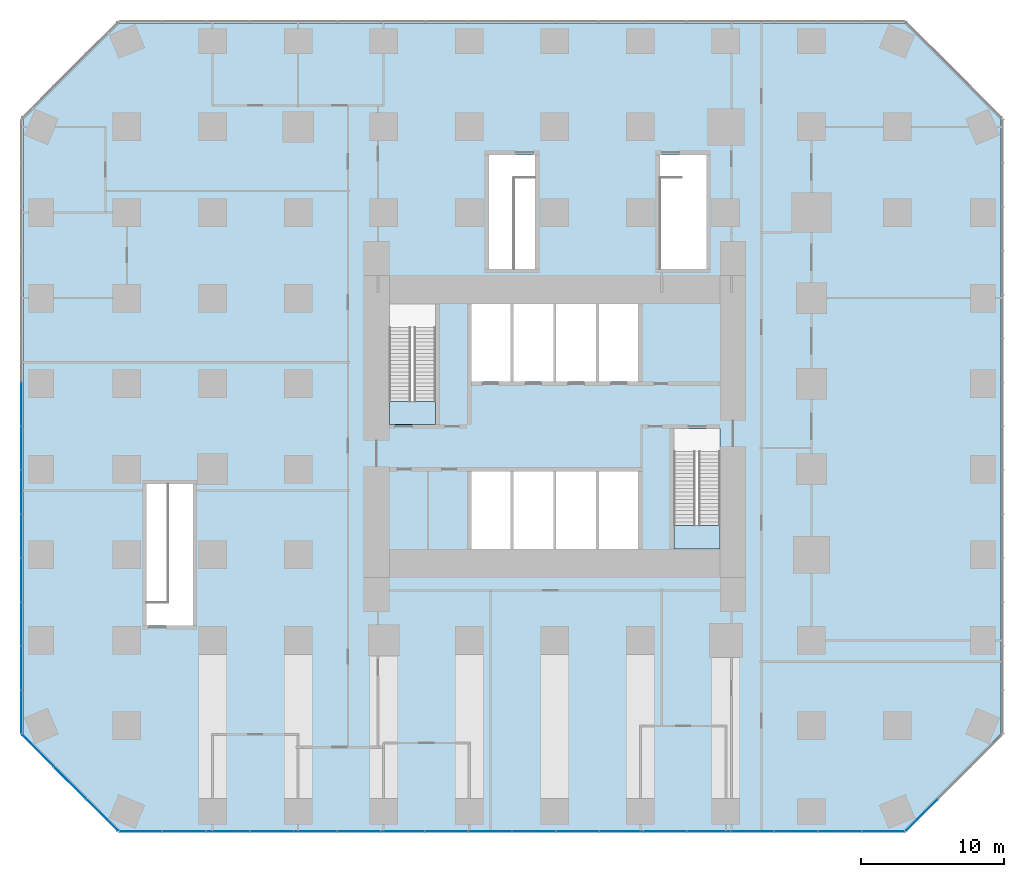
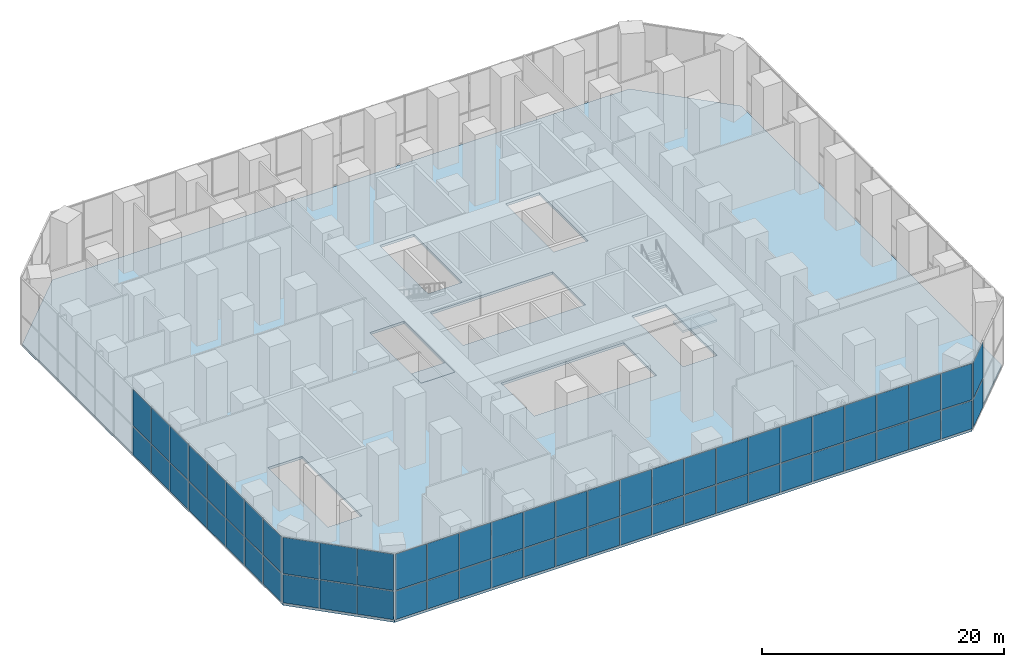
# One storey, part 9 of 16: 60 plates, 3 slabs, 6 elements without a shape of their own.
"""IFC4 building model written with IfcOpenShell, lengths in metres."""

from ifc_helpers import new_model, si_unit, direction, frame, origin, origin_2d, place, context, subcontext, project, spatial, polyline, rectangle, outline, extrude, material, layer, layer_set, type_object, element, aggregate, save


model = new_model("IFC4")

# Units and contexts
model_context = context("Model", 3, precision=1e-05, world=origin(), true_north=direction((0.0, 1.0)))
body_context = subcontext(model_context, "Body", "Model", "MODEL_VIEW")
ifc_project = project(units=[si_unit("LENGTHUNIT", "METRE"), si_unit("AREAUNIT", "SQUARE_METRE"), si_unit("VOLUMEUNIT", "CUBIC_METRE"), si_unit("PLANEANGLEUNIT", "RADIAN"), si_unit("MASSUNIT", "GRAM", prefix="KILO")], contexts=[model_context])

# Site, building, storey
site_placement = place(None, origin())
site = spatial("IfcSite", under=ifc_project, at=site_placement, CompositionType="ELEMENT")
building_placement = place(site_placement, origin())
building = spatial("IfcBuilding", under=site, at=building_placement, Name="Highveld Stack Headquarters", CompositionType="ELEMENT")
storey_placement = place(building_placement, frame((0.0, 0.0, 11.0)))
storey = spatial("IfcBuildingStorey", under=building, at=storey_placement, Name="L02", CompositionType="ELEMENT", Elevation=11.0)

# Curtain wall, plates
ifc_material_1 = material(Name="Aluminium bronze anodised", Category="aluminium")
ifc_layer_1 = layer(ifc_material_1, 0.199951171875)
ifc_layer_set_1 = layer_set([ifc_layer_1], Name="Aluminium bronze anodised")
curtain_wall_type = type_object("IfcCurtainWallType", Name="CW3 PODIUM STICK CURTAIN WALL", PredefinedType="NOTDEFINED", material=ifc_layer_set_1)
curtain_wall_1_placement = place(storey_placement, origin())
curtain_wall_1 = element("IfcCurtainWall", 1, at=curtain_wall_1_placement, inside=storey, type_object=curtain_wall_type, Name="Curtain wall CW3 L02 S", PredefinedType="NOTDEFINED")
ifc_material_2 = material(Name="Glass clear low-iron double glazed unit", Category="glass")
ifc_layer_2 = layer(ifc_material_2, 0.035888671875)
ifc_layer_set_2 = layer_set([ifc_layer_2], Name="Glass clear low-iron double glazed unit")
plate_type = type_object("IfcPlateType", Name="CW3 PANEL CLEAR LOW-IRON DOUBLE GLAZED UNIT", PredefinedType="CURTAIN_PANEL", material=ifc_layer_set_2)
plate_1_placement = place(storey_placement, frame((-23.031494140625, -25.39990234375, 0.099853515625), z_axis=(0.0, 0.0, 1.0), x_axis=(1.0, 0.0, 0.0)))
plate_1 = element("IfcPlate", 2, at=plate_1_placement, type_object=plate_type, Name="CW3 panel L02 1.1", PredefinedType="CURTAIN_PANEL", context=body_context, shape_type="SweptSolid", body=[
    extrude(rectangle(XDim=2.966796875, YDim=0.035888671875, at=origin_2d()), origin(), (0.0, 0.0, 1.0), 2.85009765625),
])
plate_2_placement = place(storey_placement, frame((-23.031494140625, -25.39990234375, 3.050048828125), z_axis=(0.0, 0.0, 1.0), x_axis=(1.0, 0.0, 0.0)))
plate_2 = element("IfcPlate", 3, at=plate_2_placement, type_object=plate_type, Name="CW3 panel L02 1.2", PredefinedType="CURTAIN_PANEL", context=body_context, shape_type="SweptSolid", body=[
    extrude(rectangle(XDim=2.966796875, YDim=0.035888671875, at=origin_2d()), origin(), (0.0, 0.0, 1.0), 3.64990234375),
])
plate_3_placement = place(storey_placement, frame((-19.983154296875, -25.39990234375, 0.099853515625), z_axis=(0.0, 0.0, 1.0), x_axis=(1.0, 0.0, 0.0)))
plate_3 = element("IfcPlate", 4, at=plate_3_placement, type_object=plate_type, Name="CW3 panel L02 2.1", PredefinedType="CURTAIN_PANEL", context=body_context, shape_type="SweptSolid", body=[
    extrude(rectangle(XDim=2.99951171875, YDim=0.035888671875, at=origin_2d()), origin(), (0.0, 0.0, 1.0), 2.85009765625),
])
plate_4_placement = place(storey_placement, frame((-19.983154296875, -25.39990234375, 3.050048828125), z_axis=(0.0, 0.0, 1.0), x_axis=(1.0, 0.0, 0.0)))
plate_4 = element("IfcPlate", 5, at=plate_4_placement, type_object=plate_type, Name="CW3 panel L02 2.2", PredefinedType="CURTAIN_PANEL", context=body_context, shape_type="SweptSolid", body=[
    extrude(rectangle(XDim=2.99951171875, YDim=0.035888671875, at=origin_2d()), origin(), (0.0, 0.0, 1.0), 3.64990234375),
])
plate_5_placement = place(storey_placement, frame((-16.918701171875, -25.39990234375, 0.099853515625), z_axis=(0.0, 0.0, 1.0), x_axis=(1.0, 0.0, 0.0)))
plate_5 = element("IfcPlate", 6, at=plate_5_placement, type_object=plate_type, Name="CW3 panel L02 3.1", PredefinedType="CURTAIN_PANEL", context=body_context, shape_type="SweptSolid", body=[
    extrude(rectangle(XDim=2.99951171875, YDim=0.035888671875, at=origin_2d()), origin(), (0.0, 0.0, 1.0), 2.85009765625),
])
plate_6_placement = place(storey_placement, frame((-16.918701171875, -25.39990234375, 3.050048828125), z_axis=(0.0, 0.0, 1.0), x_axis=(1.0, 0.0, 0.0)))
plate_6 = element("IfcPlate", 7, at=plate_6_placement, type_object=plate_type, Name="CW3 panel L02 3.2", PredefinedType="CURTAIN_PANEL", context=body_context, shape_type="SweptSolid", body=[
    extrude(rectangle(XDim=2.99951171875, YDim=0.035888671875, at=origin_2d()), origin(), (0.0, 0.0, 1.0), 3.64990234375),
])
plate_7_placement = place(storey_placement, frame((-13.8544921875, -25.39990234375, 0.099853515625), z_axis=(0.0, 0.0, 1.0), x_axis=(1.0, 0.0, 0.0)))
plate_7 = element("IfcPlate", 8, at=plate_7_placement, type_object=plate_type, Name="CW3 panel L02 4.1", PredefinedType="CURTAIN_PANEL", context=body_context, shape_type="SweptSolid", body=[
    extrude(rectangle(XDim=2.99951171875, YDim=0.035888671875, at=origin_2d()), origin(), (0.0, 0.0, 1.0), 2.85009765625),
])
plate_8_placement = place(storey_placement, frame((-13.8544921875, -25.39990234375, 3.050048828125), z_axis=(0.0, 0.0, 1.0), x_axis=(1.0, 0.0, 0.0)))
plate_8 = element("IfcPlate", 9, at=plate_8_placement, type_object=plate_type, Name="CW3 panel L02 4.2", PredefinedType="CURTAIN_PANEL", context=body_context, shape_type="SweptSolid", body=[
    extrude(rectangle(XDim=2.99951171875, YDim=0.035888671875, at=origin_2d()), origin(), (0.0, 0.0, 1.0), 3.64990234375),
])
plate_9_placement = place(storey_placement, frame((-10.789794921875, -25.39990234375, 0.099853515625), z_axis=(0.0, 0.0, 1.0), x_axis=(1.0, 0.0, 0.0)))
plate_9 = element("IfcPlate", 10, at=plate_9_placement, type_object=plate_type, Name="CW3 panel L02 5.1", PredefinedType="CURTAIN_PANEL", context=body_context, shape_type="SweptSolid", body=[
    extrude(rectangle(XDim=2.99951171875, YDim=0.035888671875, at=origin_2d()), origin(), (0.0, 0.0, 1.0), 2.85009765625),
])
plate_10_placement = place(storey_placement, frame((-10.789794921875, -25.39990234375, 3.050048828125), z_axis=(0.0, 0.0, 1.0), x_axis=(1.0, 0.0, 0.0)))
plate_10 = element("IfcPlate", 11, at=plate_10_placement, type_object=plate_type, Name="CW3 panel L02 5.2", PredefinedType="CURTAIN_PANEL", context=body_context, shape_type="SweptSolid", body=[
    extrude(rectangle(XDim=2.99951171875, YDim=0.035888671875, at=origin_2d()), origin(), (0.0, 0.0, 1.0), 3.64990234375),
])
plate_11_placement = place(storey_placement, frame((-7.7255859375, -25.39990234375, 0.099853515625), z_axis=(0.0, 0.0, 1.0), x_axis=(1.0, 0.0, 0.0)))
plate_11 = element("IfcPlate", 12, at=plate_11_placement, type_object=plate_type, Name="CW3 panel L02 6.1", PredefinedType="CURTAIN_PANEL", context=body_context, shape_type="SweptSolid", body=[
    extrude(rectangle(XDim=2.99951171875, YDim=0.035888671875, at=origin_2d()), origin(), (0.0, 0.0, 1.0), 2.85009765625),
])
plate_12_placement = place(storey_placement, frame((-7.7255859375, -25.39990234375, 3.050048828125), z_axis=(0.0, 0.0, 1.0), x_axis=(1.0, 0.0, 0.0)))
plate_12 = element("IfcPlate", 13, at=plate_12_placement, type_object=plate_type, Name="CW3 panel L02 6.2", PredefinedType="CURTAIN_PANEL", context=body_context, shape_type="SweptSolid", body=[
    extrude(rectangle(XDim=2.99951171875, YDim=0.035888671875, at=origin_2d()), origin(), (0.0, 0.0, 1.0), 3.64990234375),
])
plate_13_placement = place(storey_placement, frame((-4.6611328125, -25.39990234375, 0.099853515625), z_axis=(0.0, 0.0, 1.0), x_axis=(1.0, 0.0, 0.0)))
plate_13 = element("IfcPlate", 14, at=plate_13_placement, type_object=plate_type, Name="CW3 panel L02 7.1", PredefinedType="CURTAIN_PANEL", context=body_context, shape_type="SweptSolid", body=[
    extrude(rectangle(XDim=2.99951171875, YDim=0.035888671875, at=origin_2d()), origin(), (0.0, 0.0, 1.0), 2.85009765625),
])
plate_14_placement = place(storey_placement, frame((-4.6611328125, -25.39990234375, 3.050048828125), z_axis=(0.0, 0.0, 1.0), x_axis=(1.0, 0.0, 0.0)))
plate_14 = element("IfcPlate", 15, at=plate_14_placement, type_object=plate_type, Name="CW3 panel L02 7.2", PredefinedType="CURTAIN_PANEL", context=body_context, shape_type="SweptSolid", body=[
    extrude(rectangle(XDim=2.99951171875, YDim=0.035888671875, at=origin_2d()), origin(), (0.0, 0.0, 1.0), 3.64990234375),
])
plate_15_placement = place(storey_placement, frame((-1.5966796875, -25.39990234375, 0.099853515625), z_axis=(0.0, 0.0, 1.0), x_axis=(1.0, 0.0, 0.0)))
plate_15 = element("IfcPlate", 16, at=plate_15_placement, type_object=plate_type, Name="CW3 panel L02 8.1", PredefinedType="CURTAIN_PANEL", context=body_context, shape_type="SweptSolid", body=[
    extrude(rectangle(XDim=2.99951171875, YDim=0.035888671875, at=origin_2d()), origin(), (0.0, 0.0, 1.0), 2.85009765625),
])
plate_16_placement = place(storey_placement, frame((-1.5966796875, -25.39990234375, 3.050048828125), z_axis=(0.0, 0.0, 1.0), x_axis=(1.0, 0.0, 0.0)))
plate_16 = element("IfcPlate", 17, at=plate_16_placement, type_object=plate_type, Name="CW3 panel L02 8.2", PredefinedType="CURTAIN_PANEL", context=body_context, shape_type="SweptSolid", body=[
    extrude(rectangle(XDim=2.99951171875, YDim=0.035888671875, at=origin_2d()), origin(), (0.0, 0.0, 1.0), 3.64990234375),
])
plate_17_placement = place(storey_placement, frame((1.4677734375, -25.39990234375, 0.099853515625), z_axis=(0.0, 0.0, 1.0), x_axis=(1.0, 0.0, 0.0)))
plate_17 = element("IfcPlate", 18, at=plate_17_placement, type_object=plate_type, Name="CW3 panel L02 9.1", PredefinedType="CURTAIN_PANEL", context=body_context, shape_type="SweptSolid", body=[
    extrude(rectangle(XDim=2.99951171875, YDim=0.035888671875, at=origin_2d()), origin(), (0.0, 0.0, 1.0), 2.85009765625),
])
plate_18_placement = place(storey_placement, frame((1.4677734375, -25.39990234375, 3.050048828125), z_axis=(0.0, 0.0, 1.0), x_axis=(1.0, 0.0, 0.0)))
plate_18 = element("IfcPlate", 19, at=plate_18_placement, type_object=plate_type, Name="CW3 panel L02 9.2", PredefinedType="CURTAIN_PANEL", context=body_context, shape_type="SweptSolid", body=[
    extrude(rectangle(XDim=2.99951171875, YDim=0.035888671875, at=origin_2d()), origin(), (0.0, 0.0, 1.0), 3.64990234375),
])
plate_19_placement = place(storey_placement, frame((4.5322265625, -25.39990234375, 0.099853515625), z_axis=(0.0, 0.0, 1.0), x_axis=(1.0, 0.0, 0.0)))
plate_19 = element("IfcPlate", 20, at=plate_19_placement, type_object=plate_type, Name="CW3 panel L02 10.1", PredefinedType="CURTAIN_PANEL", context=body_context, shape_type="SweptSolid", body=[
    extrude(rectangle(XDim=2.99951171875, YDim=0.035888671875, at=origin_2d()), origin(), (0.0, 0.0, 1.0), 2.85009765625),
])
plate_20_placement = place(storey_placement, frame((4.5322265625, -25.39990234375, 3.050048828125), z_axis=(0.0, 0.0, 1.0), x_axis=(1.0, 0.0, 0.0)))
plate_20 = element("IfcPlate", 21, at=plate_20_placement, type_object=plate_type, Name="CW3 panel L02 10.2", PredefinedType="CURTAIN_PANEL", context=body_context, shape_type="SweptSolid", body=[
    extrude(rectangle(XDim=2.99951171875, YDim=0.035888671875, at=origin_2d()), origin(), (0.0, 0.0, 1.0), 3.64990234375),
])
plate_21_placement = place(storey_placement, frame((7.5966796875, -25.39990234375, 0.099853515625), z_axis=(0.0, 0.0, 1.0), x_axis=(1.0, 0.0, 0.0)))
plate_21 = element("IfcPlate", 22, at=plate_21_placement, type_object=plate_type, Name="CW3 panel L02 11.1", PredefinedType="CURTAIN_PANEL", context=body_context, shape_type="SweptSolid", body=[
    extrude(rectangle(XDim=2.99951171875, YDim=0.035888671875, at=origin_2d()), origin(), (0.0, 0.0, 1.0), 2.85009765625),
])
plate_22_placement = place(storey_placement, frame((7.5966796875, -25.39990234375, 3.050048828125), z_axis=(0.0, 0.0, 1.0), x_axis=(1.0, 0.0, 0.0)))
plate_22 = element("IfcPlate", 23, at=plate_22_placement, type_object=plate_type, Name="CW3 panel L02 11.2", PredefinedType="CURTAIN_PANEL", context=body_context, shape_type="SweptSolid", body=[
    extrude(rectangle(XDim=2.99951171875, YDim=0.035888671875, at=origin_2d()), origin(), (0.0, 0.0, 1.0), 3.64990234375),
])
plate_23_placement = place(storey_placement, frame((10.6611328125, -25.39990234375, 0.099853515625), z_axis=(0.0, 0.0, 1.0), x_axis=(1.0, 0.0, 0.0)))
plate_23 = element("IfcPlate", 24, at=plate_23_placement, type_object=plate_type, Name="CW3 panel L02 12.1", PredefinedType="CURTAIN_PANEL", context=body_context, shape_type="SweptSolid", body=[
    extrude(rectangle(XDim=2.99951171875, YDim=0.035888671875, at=origin_2d()), origin(), (0.0, 0.0, 1.0), 2.85009765625),
])
plate_24_placement = place(storey_placement, frame((10.6611328125, -25.39990234375, 3.050048828125), z_axis=(0.0, 0.0, 1.0), x_axis=(1.0, 0.0, 0.0)))
plate_24 = element("IfcPlate", 25, at=plate_24_placement, type_object=plate_type, Name="CW3 panel L02 12.2", PredefinedType="CURTAIN_PANEL", context=body_context, shape_type="SweptSolid", body=[
    extrude(rectangle(XDim=2.99951171875, YDim=0.035888671875, at=origin_2d()), origin(), (0.0, 0.0, 1.0), 3.64990234375),
])
plate_25_placement = place(storey_placement, frame((13.7255859375, -25.39990234375, 0.099853515625), z_axis=(0.0, 0.0, 1.0), x_axis=(1.0, 0.0, 0.0)))
plate_25 = element("IfcPlate", 26, at=plate_25_placement, type_object=plate_type, Name="CW3 panel L02 13.1", PredefinedType="CURTAIN_PANEL", context=body_context, shape_type="SweptSolid", body=[
    extrude(rectangle(XDim=2.99951171875, YDim=0.035888671875, at=origin_2d()), origin(), (0.0, 0.0, 1.0), 2.85009765625),
])
plate_26_placement = place(storey_placement, frame((13.7255859375, -25.39990234375, 3.050048828125), z_axis=(0.0, 0.0, 1.0), x_axis=(1.0, 0.0, 0.0)))
plate_26 = element("IfcPlate", 27, at=plate_26_placement, type_object=plate_type, Name="CW3 panel L02 13.2", PredefinedType="CURTAIN_PANEL", context=body_context, shape_type="SweptSolid", body=[
    extrude(rectangle(XDim=2.99951171875, YDim=0.035888671875, at=origin_2d()), origin(), (0.0, 0.0, 1.0), 3.64990234375),
])
plate_27_placement = place(storey_placement, frame((16.7900390625, -25.39990234375, 0.099853515625), z_axis=(0.0, 0.0, 1.0), x_axis=(1.0, 0.0, 0.0)))
plate_27 = element("IfcPlate", 28, at=plate_27_placement, type_object=plate_type, Name="CW3 panel L02 14.1", PredefinedType="CURTAIN_PANEL", context=body_context, shape_type="SweptSolid", body=[
    extrude(rectangle(XDim=2.99951171875, YDim=0.035888671875, at=origin_2d()), origin(), (0.0, 0.0, 1.0), 2.85009765625),
])
plate_28_placement = place(storey_placement, frame((16.7900390625, -25.39990234375, 3.050048828125), z_axis=(0.0, 0.0, 1.0), x_axis=(1.0, 0.0, 0.0)))
plate_28 = element("IfcPlate", 29, at=plate_28_placement, type_object=plate_type, Name="CW3 panel L02 14.2", PredefinedType="CURTAIN_PANEL", context=body_context, shape_type="SweptSolid", body=[
    extrude(rectangle(XDim=2.99951171875, YDim=0.035888671875, at=origin_2d()), origin(), (0.0, 0.0, 1.0), 3.64990234375),
])
plate_29_placement = place(storey_placement, frame((19.8544921875, -25.39990234375, 0.099853515625), z_axis=(0.0, 0.0, 1.0), x_axis=(1.0, 0.0, 0.0)))
plate_29 = element("IfcPlate", 30, at=plate_29_placement, type_object=plate_type, Name="CW3 panel L02 15.1", PredefinedType="CURTAIN_PANEL", context=body_context, shape_type="SweptSolid", body=[
    extrude(rectangle(XDim=2.99951171875, YDim=0.035888671875, at=origin_2d()), origin(), (0.0, 0.0, 1.0), 2.85009765625),
])
plate_30_placement = place(storey_placement, frame((19.8544921875, -25.39990234375, 3.050048828125), z_axis=(0.0, 0.0, 1.0), x_axis=(1.0, 0.0, 0.0)))
plate_30 = element("IfcPlate", 31, at=plate_30_placement, type_object=plate_type, Name="CW3 panel L02 15.2", PredefinedType="CURTAIN_PANEL", context=body_context, shape_type="SweptSolid", body=[
    extrude(rectangle(XDim=2.99951171875, YDim=0.035888671875, at=origin_2d()), origin(), (0.0, 0.0, 1.0), 3.64990234375),
])
plate_31_placement = place(storey_placement, frame((22.918701171875, -25.39990234375, 0.099853515625), z_axis=(0.0, 0.0, 1.0), x_axis=(1.0, 0.0, 0.0)))
plate_31 = element("IfcPlate", 32, at=plate_31_placement, type_object=plate_type, Name="CW3 panel L02 16.1", PredefinedType="CURTAIN_PANEL", context=body_context, shape_type="SweptSolid", body=[
    extrude(rectangle(XDim=2.99951171875, YDim=0.035888671875, at=origin_2d()), origin(), (0.0, 0.0, 1.0), 2.85009765625),
])
plate_32_placement = place(storey_placement, frame((22.918701171875, -25.39990234375, 3.050048828125), z_axis=(0.0, 0.0, 1.0), x_axis=(1.0, 0.0, 0.0)))
plate_32 = element("IfcPlate", 33, at=plate_32_placement, type_object=plate_type, Name="CW3 panel L02 16.2", PredefinedType="CURTAIN_PANEL", context=body_context, shape_type="SweptSolid", body=[
    extrude(rectangle(XDim=2.99951171875, YDim=0.035888671875, at=origin_2d()), origin(), (0.0, 0.0, 1.0), 3.64990234375),
])
plate_33_placement = place(storey_placement, frame((25.983154296875, -25.39990234375, 0.099853515625), z_axis=(0.0, 0.0, 1.0), x_axis=(1.0, 0.0, 0.0)))
plate_33 = element("IfcPlate", 34, at=plate_33_placement, type_object=plate_type, Name="CW3 panel L02 17.1", PredefinedType="CURTAIN_PANEL", context=body_context, shape_type="SweptSolid", body=[
    extrude(rectangle(XDim=2.99951171875, YDim=0.035888671875, at=origin_2d()), origin(), (0.0, 0.0, 1.0), 2.85009765625),
])
plate_34_placement = place(storey_placement, frame((25.983154296875, -25.39990234375, 3.050048828125), z_axis=(0.0, 0.0, 1.0), x_axis=(1.0, 0.0, 0.0)))
plate_34 = element("IfcPlate", 35, at=plate_34_placement, type_object=plate_type, Name="CW3 panel L02 17.2", PredefinedType="CURTAIN_PANEL", context=body_context, shape_type="SweptSolid", body=[
    extrude(rectangle(XDim=2.99951171875, YDim=0.035888671875, at=origin_2d()), origin(), (0.0, 0.0, 1.0), 3.64990234375),
])
plate_35_placement = place(storey_placement, frame((29.031494140625, -25.39990234375, 0.099853515625), z_axis=(0.0, 0.0, 1.0), x_axis=(1.0, 0.0, 0.0)))
plate_35 = element("IfcPlate", 36, at=plate_35_placement, type_object=plate_type, Name="CW3 panel L02 18.1", PredefinedType="CURTAIN_PANEL", context=body_context, shape_type="SweptSolid", body=[
    extrude(rectangle(XDim=2.966796875, YDim=0.035888671875, at=origin_2d()), origin(), (0.0, 0.0, 1.0), 2.85009765625),
])
plate_36_placement = place(storey_placement, frame((29.031494140625, -25.39990234375, 3.050048828125), z_axis=(0.0, 0.0, 1.0), x_axis=(1.0, 0.0, 0.0)))
plate_36 = element("IfcPlate", 37, at=plate_36_placement, type_object=plate_type, Name="CW3 panel L02 18.2", PredefinedType="CURTAIN_PANEL", context=body_context, shape_type="SweptSolid", body=[
    extrude(rectangle(XDim=2.966796875, YDim=0.035888671875, at=origin_2d()), origin(), (0.0, 0.0, 1.0), 3.64990234375),
])
aggregate(curtain_wall_1, [plate_1, plate_2, plate_3, plate_4, plate_5, plate_6, plate_7, plate_8, plate_9, plate_10, plate_11, plate_12, plate_13, plate_14, plate_15, plate_16, plate_17, plate_18, plate_19, plate_20, plate_21, plate_22, plate_23, plate_24, plate_25, plate_26, plate_27, plate_28, plate_29, plate_30, plate_31, plate_32, plate_33, plate_34, plate_35, plate_36])

curtain_wall_2_placement = place(storey_placement, origin())
curtain_wall_2 = element("IfcCurtainWall", 38, at=curtain_wall_2_placement, inside=storey, type_object=curtain_wall_type, Name="Curtain wall CW3 L02 SE", PredefinedType="NOTDEFINED")
plate_37_placement = place(storey_placement, frame((31.740478515625, -24.239501953125, 0.099853515625), z_axis=(0.0, 0.0, 1.0), x_axis=(0.707106781187, 0.707106781187, 0.0)))
plate_37 = element("IfcPlate", 39, at=plate_37_placement, type_object=plate_type, Name="CW3 panel L02 1.1", PredefinedType="CURTAIN_PANEL", context=body_context, shape_type="SweptSolid", body=[
    extrude(rectangle(XDim=3.08251953125, YDim=0.035888671875, at=origin_2d()), origin(), (0.0, 0.0, 1.0), 2.85009765625),
])
plate_38_placement = place(storey_placement, frame((31.740478515625, -24.239501953125, 3.050048828125), z_axis=(0.0, 0.0, 1.0), x_axis=(0.707106781187, 0.707106781187, 0.0)))
plate_38 = element("IfcPlate", 40, at=plate_38_placement, type_object=plate_type, Name="CW3 panel L02 1.2", PredefinedType="CURTAIN_PANEL", context=body_context, shape_type="SweptSolid", body=[
    extrude(rectangle(XDim=3.08251953125, YDim=0.035888671875, at=origin_2d()), origin(), (0.0, 0.0, 1.0), 3.64990234375),
])
aggregate(curtain_wall_2, [plate_37, plate_38])

curtain_wall_3_placement = place(storey_placement, origin())
curtain_wall_3 = element("IfcCurtainWall", 41, at=curtain_wall_3_placement, inside=storey, type_object=curtain_wall_type, Name="Curtain wall CW3 L02 W", PredefinedType="NOTDEFINED")
plate_39_placement = place(storey_placement, frame((-31.39990234375, 4.54150390625, 0.099853515625), z_axis=(0.0, 0.0, 1.0), x_axis=(0.0, -1.0, 0.0)))
plate_39 = element("IfcPlate", 42, at=plate_39_placement, type_object=plate_type, Name="CW3 panel L02 7.1", PredefinedType="CURTAIN_PANEL", context=body_context, shape_type="SweptSolid", body=[
    extrude(rectangle(XDim=3.017822265625, YDim=0.035888671875, at=origin_2d()), origin(), (0.0, 0.0, 1.0), 2.85009765625),
])
plate_40_placement = place(storey_placement, frame((-31.39990234375, 4.54150390625, 3.050048828125), z_axis=(0.0, 0.0, 1.0), x_axis=(0.0, -1.0, 0.0)))
plate_40 = element("IfcPlate", 43, at=plate_40_placement, type_object=plate_type, Name="CW3 panel L02 7.2", PredefinedType="CURTAIN_PANEL", context=body_context, shape_type="SweptSolid", body=[
    extrude(rectangle(XDim=3.017822265625, YDim=0.035888671875, at=origin_2d()), origin(), (0.0, 0.0, 1.0), 3.64990234375),
])
plate_41_placement = place(storey_placement, frame((-31.39990234375, 1.45849609375, 0.099853515625), z_axis=(0.0, 0.0, 1.0), x_axis=(0.0, -1.0, 0.0)))
plate_41 = element("IfcPlate", 44, at=plate_41_placement, type_object=plate_type, Name="CW3 panel L02 8.1", PredefinedType="CURTAIN_PANEL", context=body_context, shape_type="SweptSolid", body=[
    extrude(rectangle(XDim=3.017822265625, YDim=0.035888671875, at=origin_2d()), origin(), (0.0, 0.0, 1.0), 2.85009765625),
])
plate_42_placement = place(storey_placement, frame((-31.39990234375, 1.45849609375, 3.050048828125), z_axis=(0.0, 0.0, 1.0), x_axis=(0.0, -1.0, 0.0)))
plate_42 = element("IfcPlate", 45, at=plate_42_placement, type_object=plate_type, Name="CW3 panel L02 8.2", PredefinedType="CURTAIN_PANEL", context=body_context, shape_type="SweptSolid", body=[
    extrude(rectangle(XDim=3.017822265625, YDim=0.035888671875, at=origin_2d()), origin(), (0.0, 0.0, 1.0), 3.64990234375),
])
plate_43_placement = place(storey_placement, frame((-31.39990234375, -1.624267578125, 0.099853515625), z_axis=(0.0, 0.0, 1.0), x_axis=(0.0, -1.0, 0.0)))
plate_43 = element("IfcPlate", 46, at=plate_43_placement, type_object=plate_type, Name="CW3 panel L02 9.1", PredefinedType="CURTAIN_PANEL", context=body_context, shape_type="SweptSolid", body=[
    extrude(rectangle(XDim=3.017822265625, YDim=0.035888671875, at=origin_2d()), origin(), (0.0, 0.0, 1.0), 2.85009765625),
])
plate_44_placement = place(storey_placement, frame((-31.39990234375, -1.624267578125, 3.050048828125), z_axis=(0.0, 0.0, 1.0), x_axis=(0.0, -1.0, 0.0)))
plate_44 = element("IfcPlate", 47, at=plate_44_placement, type_object=plate_type, Name="CW3 panel L02 9.2", PredefinedType="CURTAIN_PANEL", context=body_context, shape_type="SweptSolid", body=[
    extrude(rectangle(XDim=3.017822265625, YDim=0.035888671875, at=origin_2d()), origin(), (0.0, 0.0, 1.0), 3.64990234375),
])
plate_45_placement = place(storey_placement, frame((-31.39990234375, -4.70703125, 0.099853515625), z_axis=(0.0, 0.0, 1.0), x_axis=(0.0, -1.0, 0.0)))
plate_45 = element("IfcPlate", 48, at=plate_45_placement, type_object=plate_type, Name="CW3 panel L02 10.1", PredefinedType="CURTAIN_PANEL", context=body_context, shape_type="SweptSolid", body=[
    extrude(rectangle(XDim=3.017822265625, YDim=0.035888671875, at=origin_2d()), origin(), (0.0, 0.0, 1.0), 2.85009765625),
])
plate_46_placement = place(storey_placement, frame((-31.39990234375, -4.70703125, 3.050048828125), z_axis=(0.0, 0.0, 1.0), x_axis=(0.0, -1.0, 0.0)))
plate_46 = element("IfcPlate", 49, at=plate_46_placement, type_object=plate_type, Name="CW3 panel L02 10.2", PredefinedType="CURTAIN_PANEL", context=body_context, shape_type="SweptSolid", body=[
    extrude(rectangle(XDim=3.017822265625, YDim=0.035888671875, at=origin_2d()), origin(), (0.0, 0.0, 1.0), 3.64990234375),
])
plate_47_placement = place(storey_placement, frame((-31.39990234375, -7.7900390625, 0.099853515625), z_axis=(0.0, 0.0, 1.0), x_axis=(0.0, -1.0, 0.0)))
plate_47 = element("IfcPlate", 50, at=plate_47_placement, type_object=plate_type, Name="CW3 panel L02 11.1", PredefinedType="CURTAIN_PANEL", context=body_context, shape_type="SweptSolid", body=[
    extrude(rectangle(XDim=3.017822265625, YDim=0.035888671875, at=origin_2d()), origin(), (0.0, 0.0, 1.0), 2.85009765625),
])
plate_48_placement = place(storey_placement, frame((-31.39990234375, -7.7900390625, 3.050048828125), z_axis=(0.0, 0.0, 1.0), x_axis=(0.0, -1.0, 0.0)))
plate_48 = element("IfcPlate", 51, at=plate_48_placement, type_object=plate_type, Name="CW3 panel L02 11.2", PredefinedType="CURTAIN_PANEL", context=body_context, shape_type="SweptSolid", body=[
    extrude(rectangle(XDim=3.017822265625, YDim=0.035888671875, at=origin_2d()), origin(), (0.0, 0.0, 1.0), 3.64990234375),
])
plate_49_placement = place(storey_placement, frame((-31.39990234375, -10.872802734375, 0.099853515625), z_axis=(0.0, 0.0, 1.0), x_axis=(0.0, -1.0, 0.0)))
plate_49 = element("IfcPlate", 52, at=plate_49_placement, type_object=plate_type, Name="CW3 panel L02 12.1", PredefinedType="CURTAIN_PANEL", context=body_context, shape_type="SweptSolid", body=[
    extrude(rectangle(XDim=3.017822265625, YDim=0.035888671875, at=origin_2d()), origin(), (0.0, 0.0, 1.0), 2.85009765625),
])
plate_50_placement = place(storey_placement, frame((-31.39990234375, -10.872802734375, 3.050048828125), z_axis=(0.0, 0.0, 1.0), x_axis=(0.0, -1.0, 0.0)))
plate_50 = element("IfcPlate", 53, at=plate_50_placement, type_object=plate_type, Name="CW3 panel L02 12.2", PredefinedType="CURTAIN_PANEL", context=body_context, shape_type="SweptSolid", body=[
    extrude(rectangle(XDim=3.017822265625, YDim=0.035888671875, at=origin_2d()), origin(), (0.0, 0.0, 1.0), 3.64990234375),
])
plate_51_placement = place(storey_placement, frame((-31.39990234375, -13.95556640625, 0.099853515625), z_axis=(0.0, 0.0, 1.0), x_axis=(0.0, -1.0, 0.0)))
plate_51 = element("IfcPlate", 54, at=plate_51_placement, type_object=plate_type, Name="CW3 panel L02 13.1", PredefinedType="CURTAIN_PANEL", context=body_context, shape_type="SweptSolid", body=[
    extrude(rectangle(XDim=3.017822265625, YDim=0.035888671875, at=origin_2d()), origin(), (0.0, 0.0, 1.0), 2.85009765625),
])
plate_52_placement = place(storey_placement, frame((-31.39990234375, -13.95556640625, 3.050048828125), z_axis=(0.0, 0.0, 1.0), x_axis=(0.0, -1.0, 0.0)))
plate_52 = element("IfcPlate", 55, at=plate_52_placement, type_object=plate_type, Name="CW3 panel L02 13.2", PredefinedType="CURTAIN_PANEL", context=body_context, shape_type="SweptSolid", body=[
    extrude(rectangle(XDim=3.017822265625, YDim=0.035888671875, at=origin_2d()), origin(), (0.0, 0.0, 1.0), 3.64990234375),
])
plate_53_placement = place(storey_placement, frame((-31.39990234375, -17.022216796875, 0.099853515625), z_axis=(0.0, 0.0, 1.0), x_axis=(0.0, -1.0, 0.0)))
plate_53 = element("IfcPlate", 56, at=plate_53_placement, type_object=plate_type, Name="CW3 panel L02 14.1", PredefinedType="CURTAIN_PANEL", context=body_context, shape_type="SweptSolid", body=[
    extrude(rectangle(XDim=2.9853515625, YDim=0.035888671875, at=origin_2d()), origin(), (0.0, 0.0, 1.0), 2.85009765625),
])
plate_54_placement = place(storey_placement, frame((-31.39990234375, -17.022216796875, 3.050048828125), z_axis=(0.0, 0.0, 1.0), x_axis=(0.0, -1.0, 0.0)))
plate_54 = element("IfcPlate", 57, at=plate_54_placement, type_object=plate_type, Name="CW3 panel L02 14.2", PredefinedType="CURTAIN_PANEL", context=body_context, shape_type="SweptSolid", body=[
    extrude(rectangle(XDim=2.9853515625, YDim=0.035888671875, at=origin_2d()), origin(), (0.0, 0.0, 1.0), 3.64990234375),
])
aggregate(curtain_wall_3, [plate_39, plate_40, plate_41, plate_42, plate_43, plate_44, plate_45, plate_46, plate_47, plate_48, plate_49, plate_50, plate_51, plate_52, plate_53, plate_54])

curtain_wall_4_placement = place(storey_placement, origin())
curtain_wall_4 = element("IfcCurtainWall", 58, at=curtain_wall_4_placement, inside=storey, type_object=curtain_wall_type, Name="Curtain wall CW3 L02 SW", PredefinedType="NOTDEFINED")
plate_55_placement = place(storey_placement, frame((-30.239501953125, -19.740478515625, 0.099853515625), z_axis=(0.0, 0.0, 1.0), x_axis=(0.707106781187, -0.707106781187, 0.0)))
plate_55 = element("IfcPlate", 59, at=plate_55_placement, type_object=plate_type, Name="CW3 panel L02 1.1", PredefinedType="CURTAIN_PANEL", context=body_context, shape_type="SweptSolid", body=[
    extrude(rectangle(XDim=3.08251953125, YDim=0.035888671875, at=origin_2d()), origin(), (0.0, 0.0, 1.0), 2.85009765625),
])
plate_56_placement = place(storey_placement, frame((-30.239501953125, -19.740478515625, 3.050048828125), z_axis=(0.0, 0.0, 1.0), x_axis=(0.707106781187, -0.707106781187, 0.0)))
plate_56 = element("IfcPlate", 60, at=plate_56_placement, type_object=plate_type, Name="CW3 panel L02 1.2", PredefinedType="CURTAIN_PANEL", context=body_context, shape_type="SweptSolid", body=[
    extrude(rectangle(XDim=3.08251953125, YDim=0.035888671875, at=origin_2d()), origin(), (0.0, 0.0, 1.0), 3.64990234375),
])
plate_57_placement = place(storey_placement, frame((-27.989990234375, -21.989990234375, 0.099853515625), z_axis=(0.0, 0.0, 1.0), x_axis=(0.707106781187, -0.707106781187, 0.0)))
plate_57 = element("IfcPlate", 61, at=plate_57_placement, type_object=plate_type, Name="CW3 panel L02 2.1", PredefinedType="CURTAIN_PANEL", context=body_context, shape_type="SweptSolid", body=[
    extrude(rectangle(XDim=3.14990234375, YDim=0.035888671875, at=origin_2d()), origin(), (0.0, 0.0, 1.0), 2.85009765625),
])
plate_58_placement = place(storey_placement, frame((-27.989990234375, -21.989990234375, 3.050048828125), z_axis=(0.0, 0.0, 1.0), x_axis=(0.707106781187, -0.707106781187, 0.0)))
plate_58 = element("IfcPlate", 62, at=plate_58_placement, type_object=plate_type, Name="CW3 panel L02 2.2", PredefinedType="CURTAIN_PANEL", context=body_context, shape_type="SweptSolid", body=[
    extrude(rectangle(XDim=3.14990234375, YDim=0.035888671875, at=origin_2d()), origin(), (0.0, 0.0, 1.0), 3.64990234375),
])
plate_59_placement = place(storey_placement, frame((-25.740478515625, -24.239501953125, 0.099853515625), z_axis=(0.0, 0.0, 1.0), x_axis=(0.707106781187, -0.707106781187, 0.0)))
plate_59 = element("IfcPlate", 63, at=plate_59_placement, type_object=plate_type, Name="CW3 panel L02 3.1", PredefinedType="CURTAIN_PANEL", context=body_context, shape_type="SweptSolid", body=[
    extrude(rectangle(XDim=3.08251953125, YDim=0.035888671875, at=origin_2d()), origin(), (0.0, 0.0, 1.0), 2.85009765625),
])
plate_60_placement = place(storey_placement, frame((-25.740478515625, -24.239501953125, 3.050048828125), z_axis=(0.0, 0.0, 1.0), x_axis=(0.707106781187, -0.707106781187, 0.0)))
plate_60 = element("IfcPlate", 64, at=plate_60_placement, type_object=plate_type, Name="CW3 panel L02 3.2", PredefinedType="CURTAIN_PANEL", context=body_context, shape_type="SweptSolid", body=[
    extrude(rectangle(XDim=3.08251953125, YDim=0.035888671875, at=origin_2d()), origin(), (0.0, 0.0, 1.0), 3.64990234375),
])
aggregate(curtain_wall_4, [plate_55, plate_56, plate_57, plate_58, plate_59, plate_60])

# Slab
ifc_material_3 = material(Name="Concrete C60/75", Category="concrete")
ifc_layer_3 = layer(ifc_material_3, 0.25)
ifc_layer_set_3 = layer_set([ifc_layer_3], Name="Concrete C60/75")
slab_type_1 = type_object("IfcSlabType", Name="PT FLAT SLAB 250", PredefinedType="FLOOR", material=ifc_layer_set_3)
slab_1_placement = place(storey_placement, frame((0.0, 0.0, -0.25)))
element("IfcSlab", 65, at=slab_1_placement, inside=storey, type_object=slab_type_1, Name="Floor slab L02", PredefinedType="FLOOR", context=body_context, shape_type="SweptSolid", body=[
    extrude(outline(polyline([(-24.53857421875, -25.300048828125), (30.53857421875, -25.300048828125), (37.300048828125, -18.53857421875), (37.300048828125, 24.53857421875), (30.53857421875, 31.300048828125), (-24.53857421875, 31.300048828125), (-31.300048828125, 24.53857421875), (-31.300048828125, -18.53857421875), (-24.53857421875, -25.300048828125)]), holes=[polyline([(0.14990234375, 6.14990234375), (11.85009765625, 6.14990234375), (11.85009765625, 11.60009765625), (0.14990234375, 11.60009765625), (0.14990234375, 6.14990234375)]), polyline([(0.14990234375, -5.60009765625), (11.85009765625, -5.60009765625), (11.85009765625, -0.14990234375), (0.14990234375, -0.14990234375), (0.14990234375, -5.60009765625)]), polyline([(-5.60009765625, 3.14990234375), (-2.35009765625, 3.14990234375), (-2.35009765625, 11.60009765625), (-5.60009765625, 11.60009765625), (-5.60009765625, 3.14990234375)]), polyline([(14.35009765625, -5.60009765625), (17.60009765625, -5.60009765625), (17.60009765625, 2.85009765625), (14.35009765625, 2.85009765625), (14.35009765625, -5.60009765625)]), polyline([(-22.625, -10.949951171875), (-19.375, -10.949951171875), (-19.375, -1.050048828125), (-22.625, -1.050048828125), (-22.625, -10.949951171875)]), polyline([(13.375, 14.050048828125), (16.625, 14.050048828125), (16.625, 22.050048828125), (13.375, 22.050048828125), (13.375, 14.050048828125)]), polyline([(1.375, 14.050048828125), (4.625, 14.050048828125), (4.625, 22.050048828125), (1.375, 22.050048828125), (1.375, 14.050048828125)])]), origin(), (0.0, 0.0, 1.0), 0.25),
])

# Stair, slab
ifc_material_4 = material(Name="Concrete C40/50, precast", Category="concrete")
stair_type_1 = type_object("IfcStairType", Name="STAIR S1 HALF TURN 1500", PredefinedType="HALF_TURN_STAIR", material=ifc_material_4)
stair_1_placement = place(storey_placement, origin())
stair_1 = element("IfcStair", 66, at=stair_1_placement, inside=storey, type_object=stair_type_1, Name="Stair S1 L02", PredefinedType="HALF_TURN_STAIR")
ifc_material_5 = material(Name="Concrete C40/50, precast", Category="concrete")
ifc_layer_4 = layer(ifc_material_5, 0.199951171875)
ifc_layer_set_4 = layer_set([ifc_layer_4], Name="Concrete C40/50, precast")
slab_type_2 = type_object("IfcSlabType", Name="STAIR LANDING 200", PredefinedType="LANDING", material=ifc_layer_set_4)
slab_2_placement = place(storey_placement, frame((0.0, 0.0, -0.199951171875)))
slab_2 = element("IfcSlab", 67, at=slab_2_placement, type_object=slab_type_2, Name="S1 landing 2", PredefinedType="LANDING", context=body_context, shape_type="SweptSolid", body=[
    extrude(outline(polyline([(-5.60009765625, 3.14990234375), (-2.35009765625, 3.14990234375), (-2.35009765625, 4.75), (-5.60009765625, 4.75), (-5.60009765625, 3.14990234375)])), origin(), (0.0, 0.0, 1.0), 0.199951171875),
])
aggregate(stair_1, [slab_2])

ifc_material_6 = material(Name="Concrete C40/50, precast", Category="concrete")
stair_type_2 = type_object("IfcStairType", Name="STAIR S2 HALF TURN 1500", PredefinedType="HALF_TURN_STAIR", material=ifc_material_6)
stair_2_placement = place(storey_placement, origin())
stair_2 = element("IfcStair", 68, at=stair_2_placement, inside=storey, type_object=stair_type_2, Name="Stair S2 L02", PredefinedType="HALF_TURN_STAIR")
slab_3_placement = place(storey_placement, frame((0.0, 0.0, 3.39990234375)))
slab_3 = element("IfcSlab", 69, at=slab_3_placement, type_object=slab_type_2, Name="S2 landing 1", PredefinedType="LANDING", context=body_context, shape_type="SweptSolid", body=[
    extrude(outline(polyline([(14.35009765625, -5.60009765625), (17.60009765625, -5.60009765625), (17.60009765625, -3.949951171875), (14.35009765625, -3.949951171875), (14.35009765625, -5.60009765625)])), origin(), (0.0, 0.0, 1.0), 0.2001953125),
])
aggregate(stair_2, [slab_3])

save(model, "model.ifc")
